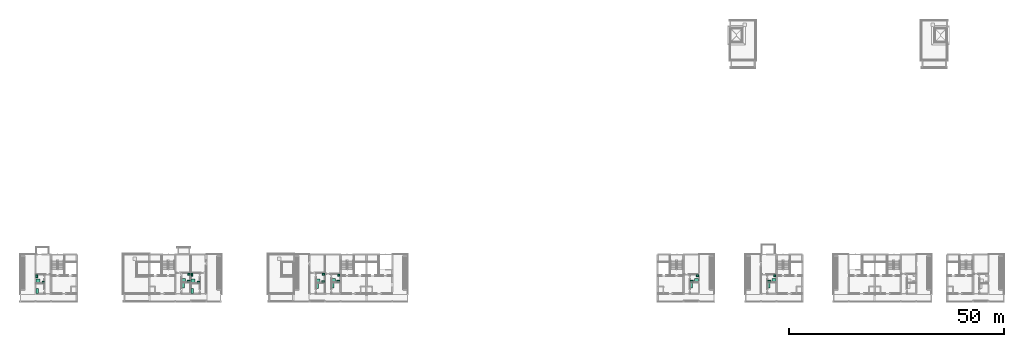
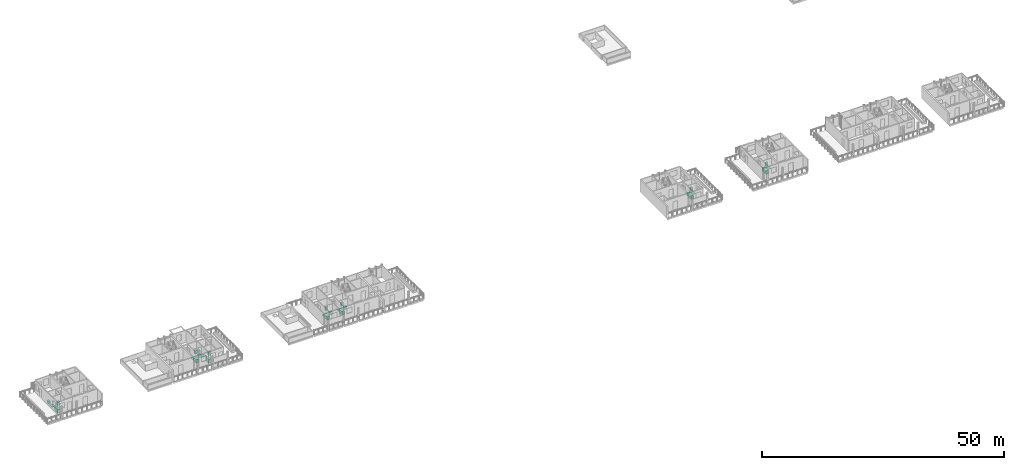
# One storey, part 40 of 41: 28 sanitary terminals.
"""IFC4 building model written with IfcOpenShell, lengths in metres."""

from ifc_helpers import new_model, si_unit, direction, frame, origin, origin_2d, place, context, subcontext, project, spatial, rectangle, extrude, element, save


model = new_model("IFC4")

# Units and contexts
model_context = context("Model", 3, precision=1e-05, world=origin(), true_north=direction((0.0, 1.0)))
body_context = subcontext(model_context, "Body", "Model", "MODEL_VIEW")
ifc_project = project(units=[si_unit("LENGTHUNIT", "METRE"), si_unit("AREAUNIT", "SQUARE_METRE"), si_unit("VOLUMEUNIT", "CUBIC_METRE"), si_unit("PLANEANGLEUNIT", "RADIAN"), si_unit("MASSUNIT", "GRAM", prefix="KILO")], contexts=[model_context])

# Site, building, storey
site_placement = place(None, origin())
site = spatial("IfcSite", under=ifc_project, at=site_placement, CompositionType="ELEMENT")
building_placement = place(site_placement, origin())
building = spatial("IfcBuilding", under=site, at=building_placement, Name="Ridgestep Commons", CompositionType="ELEMENT")
storey_placement = place(building_placement, frame((0.0, 0.0, 39.0)))
storey = spatial("IfcBuildingStorey", under=building, at=storey_placement, Name="L13", CompositionType="ELEMENT", Elevation=39.0)

# Sanitary terminals
sanitary_terminal_1_placement = place(storey_placement, frame((19.75, 16.610107421875, 0.0), z_axis=(0.0, 0.0, 1.0), x_axis=(1.0, 0.0, 0.0)))
element("IfcSanitaryTerminal", 1, at=sanitary_terminal_1_placement, inside=storey, Name="Shower tray A1-13a", PredefinedType="SHOWER", context=body_context, shape_type="SweptSolid", body=[
    extrude(rectangle(XDim=0.89990234375, YDim=0.89990234375, at=origin_2d()), origin(), (0.0, 0.0, 1.0), 0.10009765625),
])
sanitary_terminal_2_placement = place(storey_placement, frame((19.5, 17.699951171875, 0.0), z_axis=(0.0, 0.0, 1.0), x_axis=(1.0, 0.0, 0.0)))
element("IfcSanitaryTerminal", 2, at=sanitary_terminal_2_placement, inside=storey, Name="WC A1-13a", PredefinedType="TOILETPAN", context=body_context, shape_type="SweptSolid", body=[
    extrude(rectangle(XDim=0.39990234375, YDim=0.699951171875, at=origin_2d()), origin(), (0.0, 0.0, 1.0), 0.800048828125),
])
sanitary_terminal_3_placement = place(storey_placement, frame((20.989990234375, 16.385009765625, 0.0), z_axis=(0.0, 0.0, 1.0), x_axis=(1.0, 0.0, 0.0)))
element("IfcSanitaryTerminal", 3, at=sanitary_terminal_3_placement, inside=storey, Name="Basin A1-13a", PredefinedType="WASHHANDBASIN", context=body_context, shape_type="SweptSolid", body=[
    extrude(rectangle(XDim=0.550048828125, YDim=0.449951171875, at=origin_2d()), origin(), (0.0, 0.0, 1.0), 0.85009765625),
])
sanitary_terminal_4_placement = place(storey_placement, frame((19.60009765625, 14.35009765625, 0.0), z_axis=(0.0, 0.0, 1.0), x_axis=(1.0, 0.0, 0.0)))
element("IfcSanitaryTerminal", 4, at=sanitary_terminal_4_placement, inside=storey, Name="Kitchen sink A1-13a", PredefinedType="SINK", context=body_context, shape_type="SweptSolid", body=[
    extrude(rectangle(XDim=0.60009765625, YDim=1.199951171875, at=origin_2d()), origin(), (0.0, 0.0, 1.0), 0.89990234375),
])
sanitary_terminal_5_placement = place(storey_placement, frame((55.75, 16.610107421875, 0.0), z_axis=(0.0, 0.0, 1.0), x_axis=(1.0, 0.0, 0.0)))
element("IfcSanitaryTerminal", 5, at=sanitary_terminal_5_placement, inside=storey, Name="Shower tray A3-13a", PredefinedType="SHOWER", context=body_context, shape_type="SweptSolid", body=[
    extrude(rectangle(XDim=0.89990234375, YDim=0.89990234375, at=origin_2d()), origin(), (0.0, 0.0, 1.0), 0.10009765625),
])
sanitary_terminal_6_placement = place(storey_placement, frame((55.5, 18.10009765625, 0.0), z_axis=(0.0, 0.0, 1.0), x_axis=(1.0, 0.0, 0.0)))
element("IfcSanitaryTerminal", 6, at=sanitary_terminal_6_placement, inside=storey, Name="WC A3-13a", PredefinedType="TOILETPAN", context=body_context, shape_type="SweptSolid", body=[
    extrude(rectangle(XDim=0.39990234375, YDim=0.699951171875, at=origin_2d()), origin(), (0.0, 0.0, 1.0), 0.800048828125),
])
sanitary_terminal_7_placement = place(storey_placement, frame((57.014892578125, 16.385009765625, 0.0), z_axis=(0.0, 0.0, 1.0), x_axis=(1.0, 0.0, 0.0)))
element("IfcSanitaryTerminal", 7, at=sanitary_terminal_7_placement, inside=storey, Name="Basin A3-13a", PredefinedType="WASHHANDBASIN", context=body_context, shape_type="SweptSolid", body=[
    extrude(rectangle(XDim=0.550048828125, YDim=0.449951171875, at=origin_2d()), origin(), (0.0, 0.0, 1.0), 0.85009765625),
])
sanitary_terminal_8_placement = place(storey_placement, frame((55.60009765625, 14.35009765625, 0.0), z_axis=(0.0, 0.0, 1.0), x_axis=(1.0, 0.0, 0.0)))
element("IfcSanitaryTerminal", 8, at=sanitary_terminal_8_placement, inside=storey, Name="Kitchen sink A3-13a", PredefinedType="SINK", context=body_context, shape_type="SweptSolid", body=[
    extrude(rectangle(XDim=0.60009765625, YDim=1.199951171875, at=origin_2d()), origin(), (0.0, 0.0, 1.0), 0.89990234375),
])
sanitary_terminal_9_placement = place(storey_placement, frame((53.5849609375, 16.81005859375, 0.0), z_axis=(0.0, 0.0, 1.0), x_axis=(1.0, 0.0, 0.0)))
element("IfcSanitaryTerminal", 9, at=sanitary_terminal_9_placement, inside=storey, Name="Shower tray A3-13b", PredefinedType="SHOWER", context=body_context, shape_type="SweptSolid", body=[
    extrude(rectangle(XDim=0.89990234375, YDim=0.89990234375, at=origin_2d()), origin(), (0.0, 0.0, 1.0), 0.10009765625),
])
sanitary_terminal_10_placement = place(storey_placement, frame((54.75, 16.56005859375, 0.0), z_axis=(0.0, 0.0, 1.0), x_axis=(1.0, 0.0, 0.0)))
element("IfcSanitaryTerminal", 10, at=sanitary_terminal_10_placement, inside=storey, Name="WC A3-13b", PredefinedType="TOILETPAN", context=body_context, shape_type="SweptSolid", body=[
    extrude(rectangle(XDim=0.699951171875, YDim=0.39990234375, at=origin_2d()), origin(), (0.0, 0.0, 1.0), 0.800048828125),
])
sanitary_terminal_11_placement = place(storey_placement, frame((54.824951171875, 18.22509765625, 0.0), z_axis=(0.0, 0.0, 1.0), x_axis=(1.0, 0.0, 0.0)))
element("IfcSanitaryTerminal", 11, at=sanitary_terminal_11_placement, inside=storey, Name="Basin A3-13b", PredefinedType="WASHHANDBASIN", context=body_context, shape_type="SweptSolid", body=[
    extrude(rectangle(XDim=0.550048828125, YDim=0.449951171875, at=origin_2d()), origin(), (0.0, 0.0, 1.0), 0.85009765625),
])
sanitary_terminal_12_placement = place(storey_placement, frame((53.43505859375, 15.64990234375, 0.0), z_axis=(0.0, 0.0, 1.0), x_axis=(1.0, 0.0, 0.0)))
element("IfcSanitaryTerminal", 12, at=sanitary_terminal_12_placement, inside=storey, Name="Kitchen sink A3-13b", PredefinedType="SINK", context=body_context, shape_type="SweptSolid", body=[
    extrude(rectangle(XDim=0.60009765625, YDim=1.199951171875, at=origin_2d()), origin(), (0.0, 0.0, 1.0), 0.89990234375),
])
sanitary_terminal_13_placement = place(storey_placement, frame((84.760009765625, 16.7099609375, 0.0), z_axis=(0.0, 0.0, 1.0), x_axis=(1.0, 0.0, 0.0)))
element("IfcSanitaryTerminal", 13, at=sanitary_terminal_13_placement, inside=storey, Name="Shower tray A5-13a", PredefinedType="SHOWER", context=body_context, shape_type="SweptSolid", body=[
    extrude(rectangle(XDim=0.89990234375, YDim=0.89990234375, at=origin_2d()), origin(), (0.0, 0.0, 1.0), 0.10009765625),
])
sanitary_terminal_14_placement = place(storey_placement, frame((85.949951171875, 16.4599609375, 0.0), z_axis=(0.0, 0.0, 1.0), x_axis=(1.0, 0.0, 0.0)))
element("IfcSanitaryTerminal", 14, at=sanitary_terminal_14_placement, inside=storey, Name="WC A5-13a", PredefinedType="TOILETPAN", context=body_context, shape_type="SweptSolid", body=[
    extrude(rectangle(XDim=0.699951171875, YDim=0.39990234375, at=origin_2d()), origin(), (0.0, 0.0, 1.0), 0.800048828125),
])
sanitary_terminal_15_placement = place(storey_placement, frame((86.02490234375, 18.22509765625, 0.0), z_axis=(0.0, 0.0, 1.0), x_axis=(1.0, 0.0, 0.0)))
element("IfcSanitaryTerminal", 15, at=sanitary_terminal_15_placement, inside=storey, Name="Basin A5-13a", PredefinedType="WASHHANDBASIN", context=body_context, shape_type="SweptSolid", body=[
    extrude(rectangle(XDim=0.550048828125, YDim=0.449951171875, at=origin_2d()), origin(), (0.0, 0.0, 1.0), 0.85009765625),
])
sanitary_terminal_16_placement = place(storey_placement, frame((84.610107421875, 15.550048828125, 0.0), z_axis=(0.0, 0.0, 1.0), x_axis=(1.0, 0.0, 0.0)))
element("IfcSanitaryTerminal", 16, at=sanitary_terminal_16_placement, inside=storey, Name="Kitchen sink A5-13a", PredefinedType="SINK", context=body_context, shape_type="SweptSolid", body=[
    extrude(rectangle(XDim=0.60009765625, YDim=1.199951171875, at=origin_2d()), origin(), (0.0, 0.0, 1.0), 0.89990234375),
])
sanitary_terminal_17_placement = place(storey_placement, frame((88.360107421875, 16.81005859375, 0.0), z_axis=(0.0, 0.0, 1.0), x_axis=(1.0, 0.0, 0.0)))
element("IfcSanitaryTerminal", 17, at=sanitary_terminal_17_placement, inside=storey, Name="Shower tray A5-13b", PredefinedType="SHOWER", context=body_context, shape_type="SweptSolid", body=[
    extrude(rectangle(XDim=0.89990234375, YDim=0.89990234375, at=origin_2d()), origin(), (0.0, 0.0, 1.0), 0.10009765625),
])
sanitary_terminal_18_placement = place(storey_placement, frame((89.52490234375, 16.56005859375, 0.0), z_axis=(0.0, 0.0, 1.0), x_axis=(1.0, 0.0, 0.0)))
element("IfcSanitaryTerminal", 18, at=sanitary_terminal_18_placement, inside=storey, Name="WC A5-13b", PredefinedType="TOILETPAN", context=body_context, shape_type="SweptSolid", body=[
    extrude(rectangle(XDim=0.699951171875, YDim=0.39990234375, at=origin_2d()), origin(), (0.0, 0.0, 1.0), 0.800048828125),
])
sanitary_terminal_19_placement = place(storey_placement, frame((89.60009765625, 18.02490234375, 0.0), z_axis=(0.0, 0.0, 1.0), x_axis=(1.0, 0.0, 0.0)))
element("IfcSanitaryTerminal", 19, at=sanitary_terminal_19_placement, inside=storey, Name="Basin A5-13b", PredefinedType="WASHHANDBASIN", context=body_context, shape_type="SweptSolid", body=[
    extrude(rectangle(XDim=0.550048828125, YDim=0.449951171875, at=origin_2d()), origin(), (0.0, 0.0, 1.0), 0.85009765625),
])
sanitary_terminal_20_placement = place(storey_placement, frame((88.2099609375, 15.64990234375, 0.0), z_axis=(0.0, 0.0, 1.0), x_axis=(1.0, 0.0, 0.0)))
element("IfcSanitaryTerminal", 20, at=sanitary_terminal_20_placement, inside=storey, Name="Kitchen sink A5-13b", PredefinedType="SINK", context=body_context, shape_type="SweptSolid", body=[
    extrude(rectangle(XDim=0.60009765625, YDim=1.199951171875, at=origin_2d()), origin(), (0.0, 0.0, 1.0), 0.89990234375),
])
sanitary_terminal_21_placement = place(storey_placement, frame((172.64990234375, 16.81005859375, 0.0), z_axis=(0.0, 0.0, 1.0), x_axis=(1.0, 0.0, 0.0)))
element("IfcSanitaryTerminal", 21, at=sanitary_terminal_21_placement, inside=storey, Name="Shower tray D2-13a", PredefinedType="SHOWER", context=body_context, shape_type="SweptSolid", body=[
    extrude(rectangle(XDim=0.89990234375, YDim=0.89990234375, at=origin_2d()), origin(), (0.0, 0.0, 1.0), 0.10009765625),
])
sanitary_terminal_22_placement = place(storey_placement, frame((171.485107421875, 16.56005859375, 0.0), z_axis=(0.0, 0.0, 1.0), x_axis=(1.0, 0.0, 0.0)))
element("IfcSanitaryTerminal", 22, at=sanitary_terminal_22_placement, inside=storey, Name="WC D2-13a", PredefinedType="TOILETPAN", context=body_context, shape_type="SweptSolid", body=[
    extrude(rectangle(XDim=0.699951171875, YDim=0.39990234375, at=origin_2d()), origin(), (0.0, 0.0, 1.0), 0.800048828125),
])
sanitary_terminal_23_placement = place(storey_placement, frame((172.824951171875, 17.824951171875, 0.0), z_axis=(0.0, 0.0, 1.0), x_axis=(1.0, 0.0, 0.0)))
element("IfcSanitaryTerminal", 23, at=sanitary_terminal_23_placement, inside=storey, Name="Basin D2-13a", PredefinedType="WASHHANDBASIN", context=body_context, shape_type="SweptSolid", body=[
    extrude(rectangle(XDim=0.550048828125, YDim=0.449951171875, at=origin_2d()), origin(), (0.0, 0.0, 1.0), 0.85009765625),
])
sanitary_terminal_24_placement = place(storey_placement, frame((171.43505859375, 15.64990234375, 0.0), z_axis=(0.0, 0.0, 1.0), x_axis=(1.0, 0.0, 0.0)))
element("IfcSanitaryTerminal", 24, at=sanitary_terminal_24_placement, inside=storey, Name="Kitchen sink D2-13a", PredefinedType="SINK", context=body_context, shape_type="SweptSolid", body=[
    extrude(rectangle(XDim=0.60009765625, YDim=1.199951171875, at=origin_2d()), origin(), (0.0, 0.0, 1.0), 0.89990234375),
])
sanitary_terminal_25_placement = place(storey_placement, frame((190.625, 16.81005859375, 0.0), z_axis=(0.0, 0.0, 1.0), x_axis=(1.0, 0.0, 0.0)))
element("IfcSanitaryTerminal", 25, at=sanitary_terminal_25_placement, inside=storey, Name="Shower tray D3-13a", PredefinedType="SHOWER", context=body_context, shape_type="SweptSolid", body=[
    extrude(rectangle(XDim=0.89990234375, YDim=0.89990234375, at=origin_2d()), origin(), (0.0, 0.0, 1.0), 0.10009765625),
])
sanitary_terminal_26_placement = place(storey_placement, frame((189.4599609375, 16.56005859375, 0.0), z_axis=(0.0, 0.0, 1.0), x_axis=(1.0, 0.0, 0.0)))
element("IfcSanitaryTerminal", 26, at=sanitary_terminal_26_placement, inside=storey, Name="WC D3-13a", PredefinedType="TOILETPAN", context=body_context, shape_type="SweptSolid", body=[
    extrude(rectangle(XDim=0.699951171875, YDim=0.39990234375, at=origin_2d()), origin(), (0.0, 0.0, 1.0), 0.800048828125),
])
sanitary_terminal_27_placement = place(storey_placement, frame((190.800048828125, 17.824951171875, 0.0), z_axis=(0.0, 0.0, 1.0), x_axis=(1.0, 0.0, 0.0)))
element("IfcSanitaryTerminal", 27, at=sanitary_terminal_27_placement, inside=storey, Name="Basin D3-13a", PredefinedType="WASHHANDBASIN", context=body_context, shape_type="SweptSolid", body=[
    extrude(rectangle(XDim=0.550048828125, YDim=0.449951171875, at=origin_2d()), origin(), (0.0, 0.0, 1.0), 0.85009765625),
])
sanitary_terminal_28_placement = place(storey_placement, frame((189.409912109375, 15.64990234375, 0.0), z_axis=(0.0, 0.0, 1.0), x_axis=(1.0, 0.0, 0.0)))
element("IfcSanitaryTerminal", 28, at=sanitary_terminal_28_placement, inside=storey, Name="Kitchen sink D3-13a", PredefinedType="SINK", context=body_context, shape_type="SweptSolid", body=[
    extrude(rectangle(XDim=0.60009765625, YDim=1.199951171875, at=origin_2d()), origin(), (0.0, 0.0, 1.0), 0.89990234375),
])

save(model, "model.ifc")
